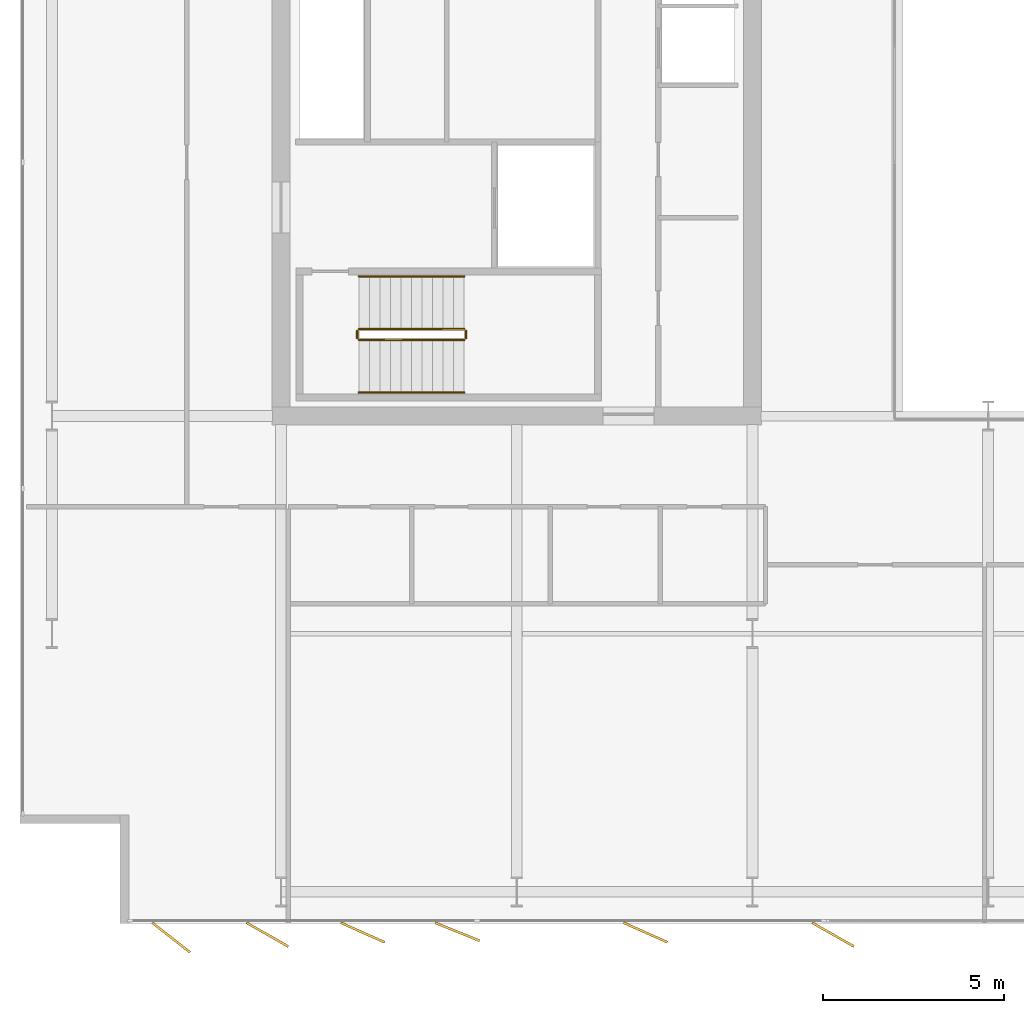
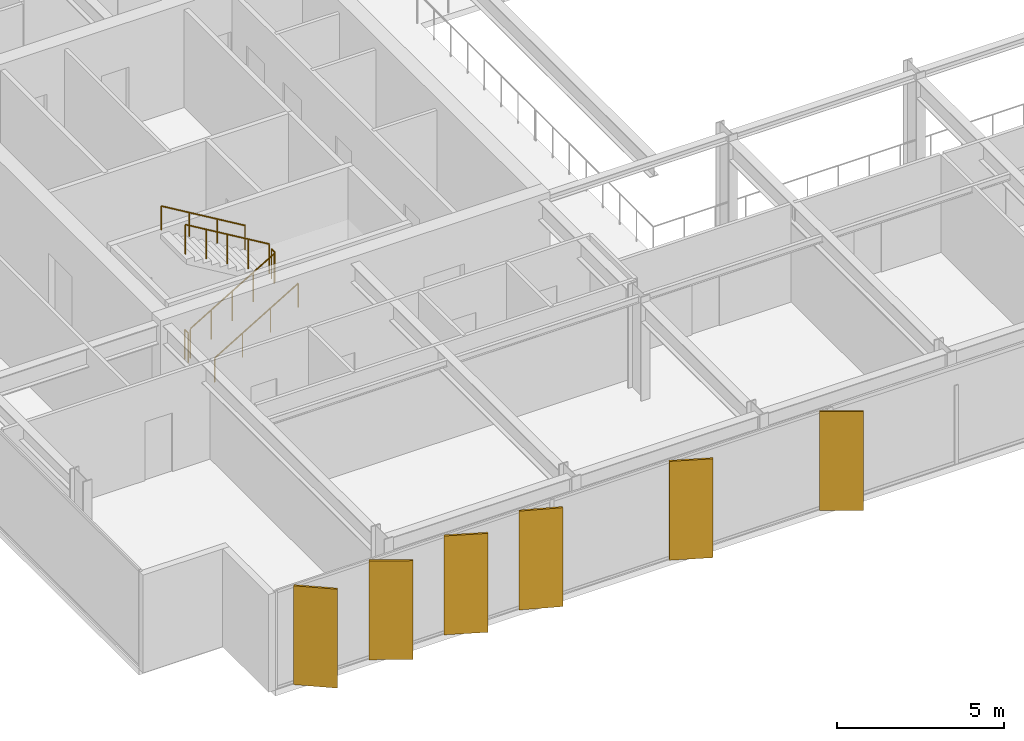
# One storey, part 21 of 24: 6 railings, 6 shading devices.
"""IFC4 building model written with IfcOpenShell, lengths in metres."""

from ifc_helpers import new_model, si_unit, direction, frame, origin, origin_2d, place, context, subcontext, project, spatial, rectangle, circle, extrude, material, layer, layer_set, type_object, element, save


model = new_model("IFC4")

# Units and contexts
model_context = context("Model", 3, precision=1e-05, world=origin(), true_north=direction((0.0, 1.0)))
body_context = subcontext(model_context, "Body", "Model", "MODEL_VIEW")
ifc_project = project(units=[si_unit("LENGTHUNIT", "METRE"), si_unit("AREAUNIT", "SQUARE_METRE"), si_unit("VOLUMEUNIT", "CUBIC_METRE"), si_unit("PLANEANGLEUNIT", "RADIAN"), si_unit("MASSUNIT", "GRAM", prefix="KILO")], contexts=[model_context])

# Site, building, storey
site_placement = place(None, origin())
site = spatial("IfcSite", under=ifc_project, at=site_placement, CompositionType="ELEMENT")
building_placement = place(site_placement, origin())
building = spatial("IfcBuilding", under=site, at=building_placement, Name="Putna Gate Headquarters", CompositionType="ELEMENT")
storey_placement = place(building_placement, frame((0.0, 0.0, 240.39990234375)))
storey = spatial("IfcBuildingStorey", under=building, at=storey_placement, Name="L60", CompositionType="ELEMENT", Elevation=240.39990234375)

# Railings
ifc_material_1 = material(Name="Powder-coated steel stair guardrail", Category="steel")
railing_type_1 = type_object("IfcRailingType", Name="RAIL-STAIR-GUARD-1100", PredefinedType="GUARDRAIL", material=ifc_material_1)
railing_1_placement = place(storey_placement, frame((15.14990234375, 21.10009765625, 0.1728515625)))
element("IfcRailing", 1, at=railing_1_placement, inside=storey, type_object=railing_type_1, Name="L60 ST1 stair guard 1", PredefinedType="GUARDRAIL", context=body_context, shape_type="SweptSolid", body=[
    extrude(circle(Radius=0.02392578125, at=origin_2d()), frame((0.0, 0.0, 1.076171875), z_axis=(0.859160404282, 0.0, 0.51170636083), x_axis=(0.0, 1.0, 0.0)), (0.0, 0.0, 1.0), 3.37548828125),
    extrude(circle(Radius=0.02099609375, at=origin_2d()), origin(), (0.0, 0.0, 1.0), 1.052001953125),
    extrude(circle(Radius=0.02099609375, at=origin_2d()), frame((0.72509765625, 0.0, 0.431884765625)), (0.0, 0.0, 1.0), 1.052001953125),
    extrude(circle(Radius=0.02099609375, at=origin_2d()), frame((1.4501953125, 0.0, 0.86376953125)), (0.0, 0.0, 1.0), 1.052001953125),
    extrude(circle(Radius=0.02099609375, at=origin_2d()), frame((2.175048828125, 0.0, 1.29541015625)), (0.0, 0.0, 1.0), 1.052001953125),
    extrude(circle(Radius=0.02099609375, at=origin_2d()), frame((2.900146484375, 0.0, 1.727294921875)), (0.0, 0.0, 1.0), 1.052001953125),
])
railing_2_placement = place(storey_placement, frame((18.10009765625, 21.14990234375, 1.900146484375)))
element("IfcRailing", 2, at=railing_2_placement, inside=storey, type_object=railing_type_1, Name="L60 ST1 stair guard 2", PredefinedType="GUARDRAIL", context=body_context, shape_type="SweptSolid", body=[
    extrude(circle(Radius=0.02392578125, at=origin_2d()), frame((0.0, 0.0, 1.076171875), z_axis=(0.0, 1.0, 0.0), x_axis=(-1.0, 0.0, 0.0)), (0.0, 0.0, 1.0), 0.2001953125),
    extrude(circle(Radius=0.02099609375, at=origin_2d()), origin(), (0.0, 0.0, 1.0), 1.052001953125),
    extrude(circle(Radius=0.02099609375, at=origin_2d()), frame((0.0, 0.2001953125, 0.0)), (0.0, 0.0, 1.0), 1.052001953125),
])
railing_3_placement = place(storey_placement, frame((18.050048828125, 21.39990234375, 2.07275390625)))
element("IfcRailing", 3, at=railing_3_placement, inside=storey, type_object=railing_type_1, Name="L60 ST1 stair guard 3", PredefinedType="GUARDRAIL", context=body_context, shape_type="SweptSolid", body=[
    extrude(circle(Radius=0.02392578125, at=origin_2d()), frame((0.0, 0.0, 1.076171875), z_axis=(-0.859160404282, 0.0, 0.51170636083), x_axis=(0.0, -1.0, 0.0)), (0.0, 0.0, 1.0), 3.37548828125),
    extrude(circle(Radius=0.02099609375, at=origin_2d()), origin(), (0.0, 0.0, 1.0), 1.052001953125),
    extrude(circle(Radius=0.02099609375, at=origin_2d()), frame((-0.72509765625, 0.0, 0.431884765625)), (0.0, 0.0, 1.0), 1.052001953125),
    extrude(circle(Radius=0.02099609375, at=origin_2d()), frame((-1.4501953125, 0.0, 0.86376953125)), (0.0, 0.0, 1.0), 1.052001953125),
    extrude(circle(Radius=0.02099609375, at=origin_2d()), frame((-2.175048828125, 0.0, 1.29541015625)), (0.0, 0.0, 1.0), 1.052001953125),
    extrude(circle(Radius=0.02099609375, at=origin_2d()), frame((-2.900146484375, 0.0, 1.727294921875)), (0.0, 0.0, 1.0), 1.052001953125),
])
railing_4_placement = place(storey_placement, frame((15.10009765625, 21.14990234375, 0.0)))
element("IfcRailing", 4, at=railing_4_placement, inside=storey, type_object=railing_type_1, Name="L60 ST1 stair guard 4", PredefinedType="GUARDRAIL", context=body_context, shape_type="SweptSolid", body=[
    extrude(circle(Radius=0.02392578125, at=origin_2d()), frame((0.0, 0.0, 1.076171875), z_axis=(0.0, 1.0, 0.0), x_axis=(-1.0, 0.0, 0.0)), (0.0, 0.0, 1.0), 0.2001953125),
    extrude(circle(Radius=0.02099609375, at=origin_2d()), origin(), (0.0, 0.0, 1.0), 1.052001953125),
    extrude(circle(Radius=0.02099609375, at=origin_2d()), frame((0.0, 0.2001953125, 0.0)), (0.0, 0.0, 1.0), 1.052001953125),
])
ifc_material_2 = material(Name="Brushed stainless steel handrail", Category="steel")
railing_type_2 = type_object("IfcRailingType", Name="RAIL-STAIR-HAND-900", PredefinedType="HANDRAIL", material=ifc_material_2)
railing_5_placement = place(storey_placement, frame((15.14990234375, 19.64990234375, 0.1728515625)))
element("IfcRailing", 5, at=railing_5_placement, inside=storey, type_object=railing_type_2, Name="L60 ST1 stair handrail 1", PredefinedType="HANDRAIL", context=body_context, shape_type="SweptSolid", body=[
    extrude(circle(Radius=0.02392578125, at=origin_2d()), frame((0.0, 0.0, 0.8759765625), z_axis=(0.859160404282, 0.0, 0.51170636083), x_axis=(0.0, 1.0, 0.0)), (0.0, 0.0, 1.0), 3.37548828125),
    extrude(circle(Radius=0.02099609375, at=origin_2d()), origin(), (0.0, 0.0, 1.0), 0.851806640625),
    extrude(circle(Radius=0.02099609375, at=origin_2d()), frame((0.966796875, 0.0, 0.57568359375)), (0.0, 0.0, 1.0), 0.851806640625),
    extrude(circle(Radius=0.02099609375, at=origin_2d()), frame((1.933349609375, 0.0, 1.151611328125)), (0.0, 0.0, 1.0), 0.851806640625),
    extrude(circle(Radius=0.02099609375, at=origin_2d()), frame((2.900146484375, 0.0, 1.727294921875)), (0.0, 0.0, 1.0), 0.851806640625),
])
railing_6_placement = place(storey_placement, frame((18.050048828125, 22.85009765625, 2.07275390625)))
element("IfcRailing", 6, at=railing_6_placement, inside=storey, type_object=railing_type_2, Name="L60 ST1 stair handrail 2", PredefinedType="HANDRAIL", context=body_context, shape_type="SweptSolid", body=[
    extrude(circle(Radius=0.02392578125, at=origin_2d()), frame((0.0, 0.0, 0.8759765625), z_axis=(-0.859160404282, 0.0, 0.51170636083), x_axis=(0.0, -1.0, 0.0)), (0.0, 0.0, 1.0), 3.37548828125),
    extrude(circle(Radius=0.02099609375, at=origin_2d()), origin(), (0.0, 0.0, 1.0), 0.851806640625),
    extrude(circle(Radius=0.02099609375, at=origin_2d()), frame((-0.966796875, 0.0, 0.57568359375)), (0.0, 0.0, 1.0), 0.851806640625),
    extrude(circle(Radius=0.02099609375, at=origin_2d()), frame((-1.933349609375, 0.0, 1.151611328125)), (0.0, 0.0, 1.0), 0.851806640625),
    extrude(circle(Radius=0.02099609375, at=origin_2d()), frame((-2.900146484375, 0.0, 1.727294921875)), (0.0, 0.0, 1.0), 0.851806640625),
])

# Shading devices
ifc_material_3 = material(Name="Anodised architectural bronze aluminium fin", Category="aluminium")
ifc_layer = layer(ifc_material_3, 0.06494140625)
ifc_layer_set = layer_set([ifc_layer], Name="Anodised architectural bronze aluminium fin")
shading_device_type = type_object("IfcShadingDeviceType", Name="SHADE-BRONZE-FIN-1320", PredefinedType="USERDEFINED", material=ifc_layer_set)
for number, where, z_axis, x_axis, name in (
    (7, (9.9697265625, 4.6181640625, -0.02001953125), (0.0, 0.0, 1.0), (0.787473187632, -0.616348909921, 0.0), "L60 Bronze Vertical Shading Fin S1"),
    (8, (12.623779296875, 4.69873046875, -0.02001953125), (0.0, 0.0, 1.0), (0.869322458298, -0.494245347472, 0.0), "L60 Bronze Vertical Shading Fin S2"),
    (9, (15.2529296875, 4.7568359375, -0.02001953125), (0.0, 0.0, 1.0), (0.913687379856, -0.40641773078, 0.0), "L60 Bronze Vertical Shading Fin S3"),
    (10, (17.86181640625, 4.77783203125, -0.02001953125), (0.0, 0.0, 1.0), (0.927183854567, -0.374606593416, 0.0), "L60 Bronze Vertical Shading Fin S4"),
    (11, (23.052978515625, 4.7568359375, -0.02001953125), (0.0, 0.0, 1.0), (0.913687379856, -0.40641773078, 0.0), "L60 Bronze Vertical Shading Fin S5"),
    (12, (28.223876953125, 4.69873046875, -0.02001953125), (0.0, 0.0, 1.0), (0.869322458298, -0.494245347472, 0.0), "L60 Bronze Vertical Shading Fin S6"),
):
    element("IfcShadingDevice", number, at=place(storey_placement, frame(where, z_axis=z_axis, x_axis=x_axis)), inside=storey, type_object=shading_device_type, Name=name, ObjectType="FIN", PredefinedType="USERDEFINED", context=body_context, shape_type="SweptSolid", body=[
        extrude(rectangle(XDim=1.320068359375, YDim=0.06494140625, at=origin_2d()), origin(), (0.0, 0.0, 1.0), 3.6201171875),
    ])

save(model, "model.ifc")
